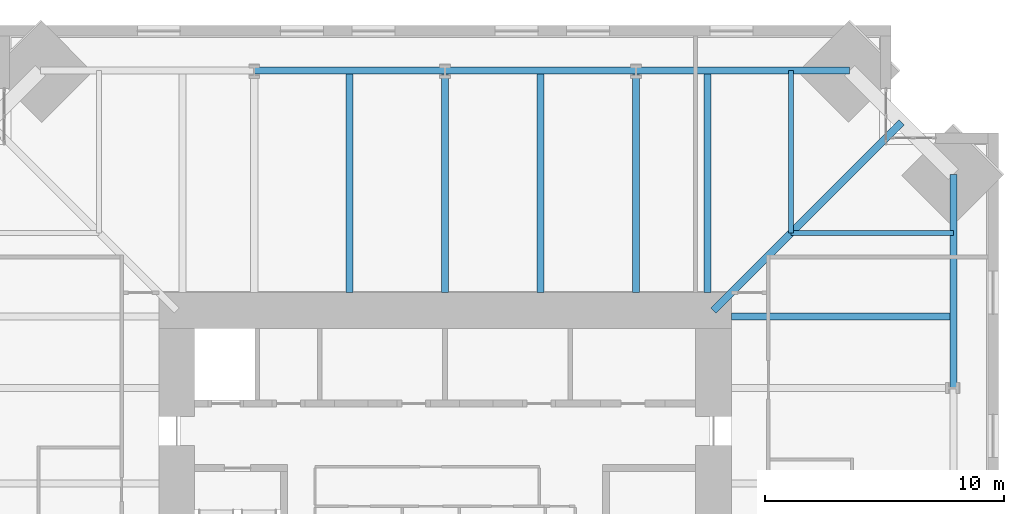
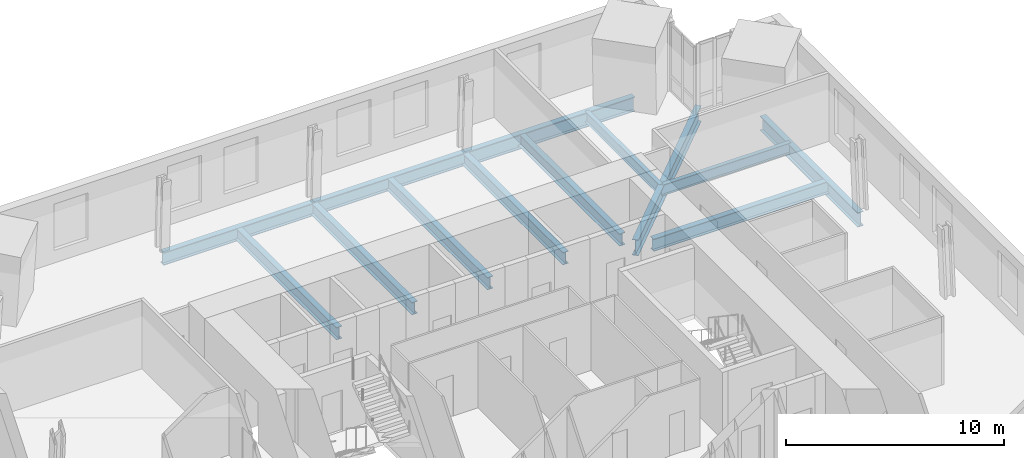
# One storey, part 7 of 15: 13 beams.
"""IFC4 building model written with IfcOpenShell, lengths in metres."""

from ifc_helpers import new_model, si_unit, direction, frame, origin, origin_2d, place, context, subcontext, project, spatial, i_section, extrude, material, material_profile, profile_set, type_object, element, save


model = new_model("IFC4")

# Units and contexts
model_context = context("Model", 3, precision=1e-05, world=origin(), true_north=direction((0.0, 1.0)))
body_context = subcontext(model_context, "Body", "Model", "MODEL_VIEW")
ifc_project = project(units=[si_unit("LENGTHUNIT", "METRE"), si_unit("AREAUNIT", "SQUARE_METRE"), si_unit("VOLUMEUNIT", "CUBIC_METRE"), si_unit("PLANEANGLEUNIT", "RADIAN"), si_unit("MASSUNIT", "GRAM", prefix="KILO")], contexts=[model_context])

# Site, building, storey
site_placement = place(None, origin())
site = spatial("IfcSite", under=ifc_project, at=site_placement, CompositionType="ELEMENT")
building_placement = place(site_placement, origin())
building = spatial("IfcBuilding", under=site, at=building_placement, Name="Peilmerk Tower", CompositionType="ELEMENT")
storey_placement = place(building_placement, frame((0.0, 0.0, 237.800048828125)))
storey = spatial("IfcBuildingStorey", under=building, at=storey_placement, Name="L52", CompositionType="ELEMENT", Elevation=237.800048828125)

# Beams
ifc_material = material(Name="Steel S355", Category="steel")
ifc_material_profile_1 = material_profile(ifc_material, i_section(OverallWidth=0.219970703125, OverallDepth=0.60009765625, WebThickness=0.011962890625, FlangeThickness=0.01904296875, at=origin_2d()), Name="IPE 600")
ifc_profile_set_1 = profile_set([ifc_material_profile_1], Name="Steel S355")
beam_type_1 = type_object("IfcBeamType", Name="B10 IPE 600 floor beam", PredefinedType="BEAM", material=ifc_profile_set_1)
for number, where, z_axis, x_axis, name in (
    (1, (14.5, 14.5, -0.469970703125), (0.0, 1.0, 0.0), (-1.0, 0.0, 0.0), "Floor beam L52"),
    (2, (14.5, 14.5, -0.469970703125), (1.0, 0.0, 0.0), (0.0, 1.0, 0.0), "Floor beam L52"),
):
    element("IfcBeam", number, at=place(storey_placement, frame(where, z_axis=z_axis, x_axis=x_axis)), inside=storey, type_object=beam_type_1, Name=name, PredefinedType="BEAM", context=body_context, shape_type="SweptSolid", body=[
        extrude(i_section(OverallWidth=0.219970703125, OverallDepth=0.60009765625, WebThickness=0.011962890625, FlangeThickness=0.01904296875, at=origin_2d()), origin(), (0.0, 0.0, 1.0), 6.80810546875),
    ])
ifc_material_profile_2 = material_profile(ifc_material, i_section(OverallWidth=0.302978515625, OverallDepth=0.81396484375, WebThickness=0.02099609375, FlangeThickness=0.0400390625, at=origin_2d()), Name="HEM 800")
ifc_profile_set_2 = profile_set([ifc_material_profile_2], Name="Steel S355")
beam_type_2 = type_object("IfcBeamType", Name="B15 HEM 800 edge beam", PredefinedType="SPANDREL", material=ifc_profile_set_2)
for number, where, z_axis, x_axis, name in (
    (3, (16.9580078125, 21.30810546875, -0.5771484375), (-1.0, 0.0, 0.0), (0.0, -1.0, 0.0), "Edge beam L52"),
    (4, (21.30810546875, 8.0, -0.5771484375), (0.0, 1.0, 0.0), (-1.0, 0.0, 0.0), "Edge beam L52"),
):
    element("IfcBeam", number, at=place(storey_placement, frame(where, z_axis=z_axis, x_axis=x_axis)), inside=storey, type_object=beam_type_2, Name=name, PredefinedType="SPANDREL", context=body_context, shape_type="SweptSolid", body=[
        extrude(i_section(OverallWidth=0.302978515625, OverallDepth=0.81396484375, WebThickness=0.02099609375, FlangeThickness=0.0400390625, at=origin_2d()), origin(), (0.0, 0.0, 1.0), 8.9580078125),
    ])
ifc_material_profile_3 = material_profile(ifc_material, i_section(OverallWidth=0.300048828125, OverallDepth=0.68994140625, WebThickness=0.014404296875, FlangeThickness=0.027099609375, at=origin_2d()), Name="HEA 700")
ifc_profile_set_3 = profile_set([ifc_material_profile_3], Name="Steel S355")
beam_type_3 = type_object("IfcBeamType", Name="B16 HEA 700 floor beam", PredefinedType="BEAM", material=ifc_profile_set_3)
for number, where, z_axis, x_axis, name in (
    (5, (11.0, 12.0, -0.51513671875), (0.0, 1.0, 0.0), (-1.0, 0.0, 0.0), "Floor beam L52"),
    (6, (8.0, 12.0, -0.51513671875), (0.0, 1.0, 0.0), (-1.0, 0.0, 0.0), "Floor beam L52"),
    (7, (4.0, 12.0, -0.51513671875), (0.0, 1.0, 0.0), (-1.0, 0.0, 0.0), "Floor beam L52"),
    (8, (0.0, 12.0, -0.51513671875), (0.0, 1.0, 0.0), (-1.0, 0.0, 0.0), "Floor beam L52"),
    (9, (-4.0, 12.0, -0.51513671875), (0.0, 1.0, 0.0), (-1.0, 0.0, 0.0), "Floor beam L52"),
    (10, (12.0, 11.0, -0.51513671875), (1.0, 0.0, 0.0), (0.0, 1.0, 0.0), "Floor beam L52"),
):
    element("IfcBeam", number, at=place(storey_placement, frame(where, z_axis=z_axis, x_axis=x_axis)), inside=storey, type_object=beam_type_3, Name=name, PredefinedType="BEAM", context=body_context, shape_type="SweptSolid", body=[
        extrude(i_section(OverallWidth=0.300048828125, OverallDepth=0.68994140625, WebThickness=0.014404296875, FlangeThickness=0.027099609375, at=origin_2d()), origin(), (0.0, 0.0, 1.0), 9.30810546875),
    ])
ifc_material_profile_4 = material_profile(ifc_material, i_section(OverallWidth=0.303955078125, OverallDepth=0.716064453125, WebThickness=0.02099609375, FlangeThickness=0.0400390625, at=origin_2d()), Name="HEM 700")
ifc_profile_set_4 = profile_set([ifc_material_profile_4], Name="Steel S355")
beam_type_4 = type_object("IfcBeamType", Name="B30 HEM 700 edge beam", PredefinedType="SPANDREL", material=ifc_profile_set_4)
for number, where, z_axis, x_axis, name in (
    (11, (8.0, 21.30810546875, -0.528076171875), (-1.0, 0.0, 0.0), (0.0, -1.0, 0.0), "Edge beam L52"),
    (12, (0.0, 21.30810546875, -0.528076171875), (-1.0, 0.0, 0.0), (0.0, -1.0, 0.0), "Edge beam L52"),
):
    element("IfcBeam", number, at=place(storey_placement, frame(where, z_axis=z_axis, x_axis=x_axis)), inside=storey, type_object=beam_type_4, Name=name, PredefinedType="SPANDREL", context=body_context, shape_type="SweptSolid", body=[
        extrude(i_section(OverallWidth=0.303955078125, OverallDepth=0.716064453125, WebThickness=0.02099609375, FlangeThickness=0.0400390625, at=origin_2d()), origin(), (0.0, 0.0, 1.0), 8.0),
    ])
ifc_material_profile_5 = material_profile(ifc_material, i_section(OverallWidth=0.300048828125, OverallDepth=0.889892578125, WebThickness=0.01611328125, FlangeThickness=0.030029296875, at=origin_2d()), Name="HEA 900")
ifc_profile_set_5 = profile_set([ifc_material_profile_5], Name="Steel S355")
beam_type_5 = type_object("IfcBeamType", Name="B4 HEA 900 floor beam", PredefinedType="BEAM", material=ifc_profile_set_5)
beam_placement = place(storey_placement, frame((11.25, 11.25, -0.614990234375), z_axis=(0.707106781187, 0.707106781187, 0.0), x_axis=(-0.707106781187, 0.707106781187, 0.0)))
element("IfcBeam", 13, at=beam_placement, inside=storey, type_object=beam_type_5, Name="Corner girder L52", PredefinedType="BEAM", context=body_context, shape_type="SweptSolid", body=[
    extrude(i_section(OverallWidth=0.300048828125, OverallDepth=0.889892578125, WebThickness=0.01611328125, FlangeThickness=0.030029296875, at=origin_2d()), origin(), (0.0, 0.0, 1.0), 11.1484375),
])

save(model, "model.ifc")
